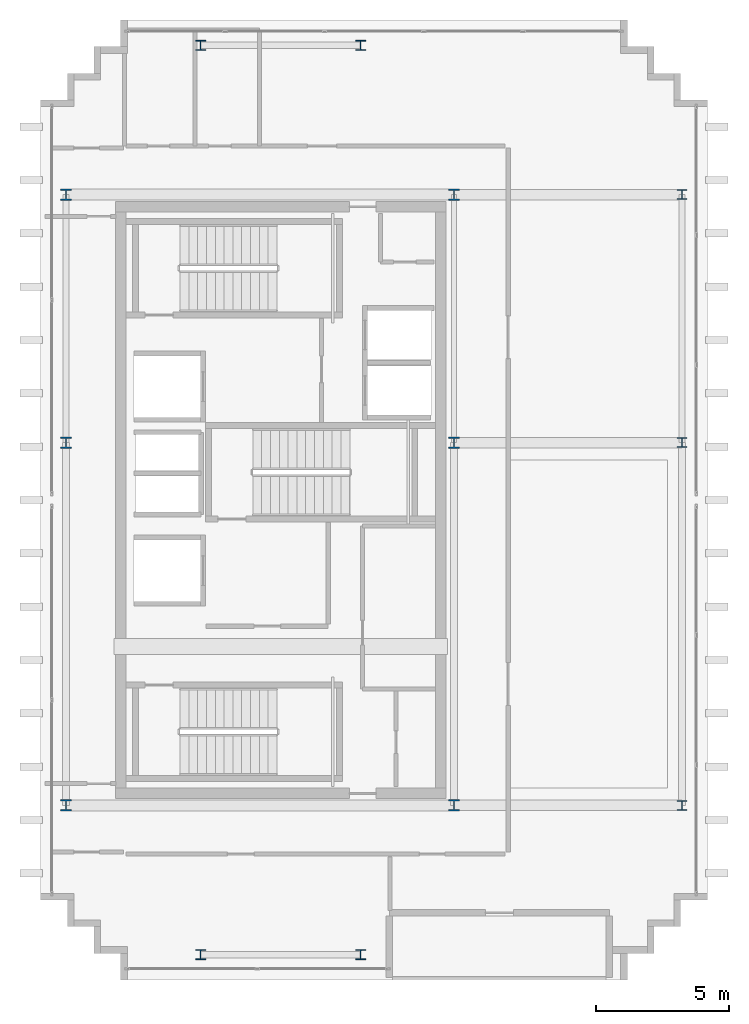
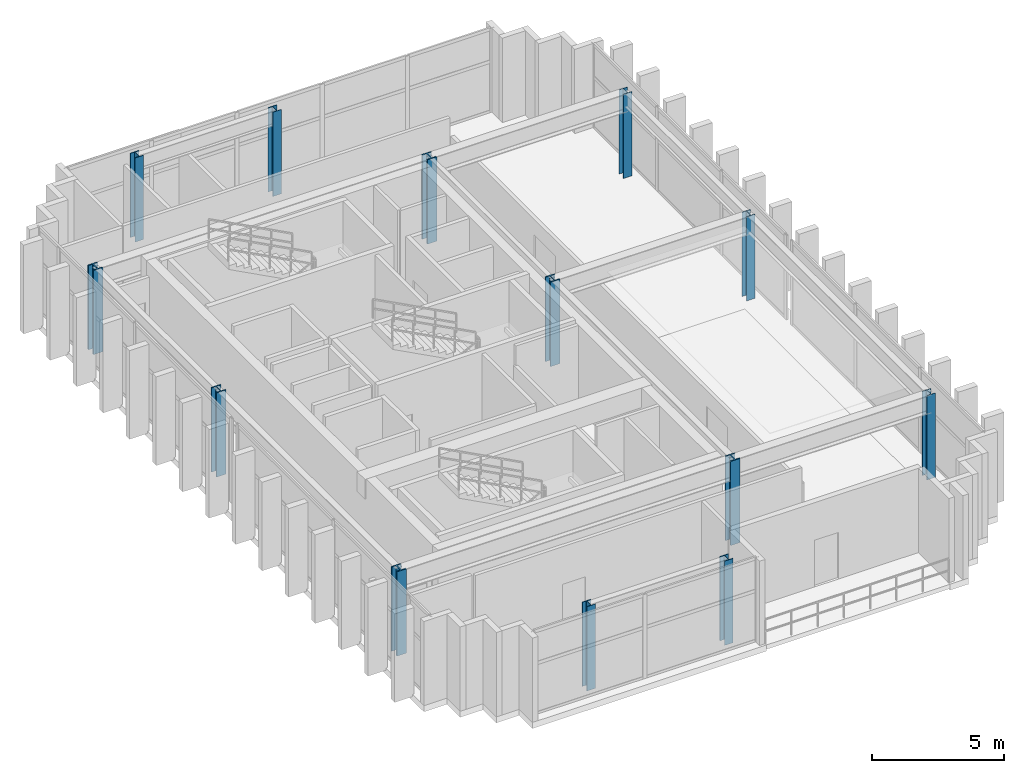
# One storey, part 1 of 15: 13 columns.
"""IFC4 building model written with IfcOpenShell, lengths in metres."""

import ifcopenshell
import ifcopenshell.guid

model = None  # the IFC model being written
_history = None  # IfcOwnerHistory: only IFC2X3 demands one
_inside = {}  # id of a spatial element -> (the spatial element, [elements in it])
_under = {}  # id of a project, library or spatial element -> (it, [spatial elements below it])
_declared = {}  # id of a project -> (the project, [libraries it declares])
_typed = {}  # id of a type object -> (the type object, [elements of that type])
_made_of = {}  # id of a material, layer set ... -> (it, [elements and type objects made of it])


def new_model(schema):
    """Start an empty IFC model of exactly this schema.

    Asked for "IFC4X3", IfcOpenShell would pick the latest addendum, in which some entities
    have other attributes; the version numbers below select the first issue.
    IFC2X3 requires an IfcOwnerHistory on every rooted entity: one is made here for all.
    """
    global model, _history
    if schema == "IFC4X3":
        model = ifcopenshell.file(schema_version=(4, 3, 0, 0))
    else:
        model = ifcopenshell.file(schema=schema)
    _inside.clear()
    _under.clear()
    _declared.clear()
    _typed.clear()
    _made_of.clear()
    _history = None
    if model.schema == "IFC2X3":
        org = make("IfcOrganization", Name="unknown")
        user = make(
            "IfcPersonAndOrganization",
            ThePerson=make("IfcPerson", FamilyName="unknown"),
            TheOrganization=org,
        )
        app = make(
            "IfcApplication",
            ApplicationDeveloper=org,
            Version="unknown",
            ApplicationFullName="unknown",
            ApplicationIdentifier="unknown",
        )
        _history = make(
            "IfcOwnerHistory",
            OwningUser=user,
            OwningApplication=app,
            ChangeAction="ADDED",
            CreationDate=0,
        )
    return model


def make(cls, **values):
    """One entity of the class cls with the attributes given. An attribute that is None is left unset."""
    return model.create_entity(
        cls, **{name: value for name, value in values.items() if value is not None}
    )


def rooted(cls, **values):
    """An entity with a GlobalId (a new one), such as an element, a storey or a relation."""
    return make(cls, GlobalId=ifcopenshell.guid.new(), OwnerHistory=_history, **values)


def si_unit(unit_type, name, prefix=None):
    """IfcSIUnit, for example si_unit("LENGTHUNIT", "METRE", prefix="MILLI")."""
    return make("IfcSIUnit", UnitType=unit_type, Prefix=prefix, Name=name)


def assignment(units):
    """IfcUnitAssignment: the units of a project."""
    return None if units is None else make("IfcUnitAssignment", Units=units)


def point(xyz):
    """IfcCartesianPoint."""
    return None if xyz is None else make("IfcCartesianPoint", Coordinates=xyz)


def direction(xyz):
    """IfcDirection."""
    return None if xyz is None else make("IfcDirection", DirectionRatios=xyz)


def frame(location, z_axis=None, x_axis=None):
    """IfcAxis2Placement3D, a coordinate frame: its origin and axes. An axis left out is left unset."""
    return make(
        "IfcAxis2Placement3D",
        Location=point(location),
        Axis=direction(z_axis),
        RefDirection=direction(x_axis),
    )


def frame_2d(location, x_axis=None):
    """IfcAxis2Placement2D, a coordinate frame in the plane: its origin and x axis."""
    return make(
        "IfcAxis2Placement2D", Location=point(location), RefDirection=direction(x_axis)
    )


def origin():
    """The frame at (0, 0, 0) with its axes left unset."""
    return frame((0.0, 0.0, 0.0))


def origin_2d():
    """The frame at (0, 0) in the plane with its x axis left unset."""
    return frame_2d((0.0, 0.0))


def place(relative_to, where):
    """IfcLocalPlacement: puts the frame where relative to a parent placement (None: the world)."""
    return make(
        "IfcLocalPlacement", PlacementRelTo=relative_to, RelativePlacement=where
    )


def context(
    kind, dimensions, precision=None, world=None, true_north=None, identifier=None
):
    """IfcGeometricRepresentationContext, for example the 3D "Model" context."""
    return make(
        "IfcGeometricRepresentationContext",
        ContextIdentifier=identifier,
        ContextType=kind,
        CoordinateSpaceDimension=dimensions,
        Precision=precision,
        WorldCoordinateSystem=world,
        TrueNorth=true_north,
    )


def subcontext(parent, identifier, kind, view, scale=None):
    """IfcGeometricRepresentationSubContext, for example "Body" below "Model"."""
    return make(
        "IfcGeometricRepresentationSubContext",
        ContextIdentifier=identifier,
        ContextType=kind,
        ParentContext=parent,
        TargetScale=scale,
        TargetView=view,
    )


def project(units=None, contexts=None):
    """IfcProject with its units and contexts."""
    return rooted(
        "IfcProject",
        Name="project",
        RepresentationContexts=contexts,
        UnitsInContext=assignment(units),
    )


def spatial(cls, under=None, at=None, **own):
    """A site, building, storey or space (cls), placed at a placement, below another one or the project."""
    s = rooted(cls, ObjectPlacement=at, **own)
    if under is not None:
        _under.setdefault(under.id(), (under, []))[1].append(s)
    return s


def profile(cls, at=None, kind="AREA", **sizes):
    """A parametric profile (cls). Its sizes go by their IFC names, for example OverallWidth=200.0."""
    return make(cls, ProfileType=kind, Position=at, **sizes)


def i_section(**sizes):
    """IfcIShapeProfileDef."""
    return profile("IfcIShapeProfileDef", **sizes)


def extrude(swept, where, along, depth):
    """IfcExtrudedAreaSolid: the profile swept, set in the frame where, extruded along a direction by depth."""
    return make(
        "IfcExtrudedAreaSolid",
        SweptArea=swept,
        Position=where,
        ExtrudedDirection=direction(along),
        Depth=depth,
    )


def shape(context_of_items, identifier, shape_type, items):
    """IfcShapeRepresentation: the items that make up one representation, for example the "Body"."""
    return make(
        "IfcShapeRepresentation",
        ContextOfItems=context_of_items,
        RepresentationIdentifier=identifier,
        RepresentationType=shape_type,
        Items=items,
    )


def source(mapping_origin, context_of_items, identifier, shape_type, items):
    """IfcRepresentationMap: a shape defined once, which mapped items show again and again."""
    return make(
        "IfcRepresentationMap",
        MappingOrigin=mapping_origin,
        MappedRepresentation=shape(context_of_items, identifier, shape_type, items),
    )


def transform(
    local_origin,
    x_axis=None,
    y_axis=None,
    z_axis=None,
    scale=None,
    scale2=None,
    scale3=None,
    uniform=True,
):
    """IfcCartesianTransformationOperator3D, or its non-uniform kind. x_axis, y_axis, z_axis: its Axis1, 2, 3."""
    if uniform:
        return make(
            "IfcCartesianTransformationOperator3D",
            Axis1=direction(x_axis),
            Axis2=direction(y_axis),
            LocalOrigin=point(local_origin),
            Scale=scale,
            Axis3=direction(z_axis),
        )
    return make(
        "IfcCartesianTransformationOperator3DnonUniform",
        Axis1=direction(x_axis),
        Axis2=direction(y_axis),
        LocalOrigin=point(local_origin),
        Scale=scale,
        Axis3=direction(z_axis),
        Scale2=scale2,
        Scale3=scale3,
    )


def mapped(mapping_source, mapping_target):
    """IfcMappedItem: shows the shape of a source again, moved by a transform."""
    return make(
        "IfcMappedItem", MappingSource=mapping_source, MappingTarget=mapping_target
    )


def material(Name=None, Category=None):
    """IfcMaterial."""
    return make("IfcMaterial", Name=Name, Category=Category)


def material_profile(
    of_material, cross_section, Name=None, Category=None, Priority=None
):
    """IfcMaterialProfile: a cross section and its material."""
    return make(
        "IfcMaterialProfile",
        Name=Name,
        Material=of_material,
        Profile=cross_section,
        Priority=Priority,
        Category=Category,
    )


def profile_set(profiles, Name=None, composite=None):
    """IfcMaterialProfileSet."""
    return make(
        "IfcMaterialProfileSet",
        Name=Name,
        MaterialProfiles=profiles,
        CompositeProfile=composite,
    )


def made_of(thing, what):
    """Note that an element or type object is made of a material, layer set ...; save() writes the relation."""
    if what is not None:
        _made_of.setdefault(what.id(), (what, []))[1].append(thing)
    return thing


def type_object(cls, material=None, **own):
    """A type object (cls), such as IfcWallType, which elements share."""
    return made_of(rooted(cls, **own), material)


def element(
    cls,
    number,
    at=None,
    inside=None,
    cuts=None,
    type_object=None,
    material=None,
    context=None,
    identifier="Body",
    shape_type=None,
    held_by="IfcProductDefinitionShape",
    body=None,
    shapes=None,
    **own,
):
    """One element of the class cls, such as IfcWall. Its Tag is "e" and its number.

    at: its placement. inside: the storey or other place that contains it. cuts: it is an
    opening in that element (IfcRelVoidsElement). A single representation is given by context,
    identifier, shape_type and body (its items); several are given by shapes. held_by: the class
    of the entity that holds the representations. save() writes the other relations.
    """
    e = rooted(cls, Tag="e%d" % number, ObjectPlacement=at, **own)
    if body is not None:
        shapes = [shape(context, identifier, shape_type, body)]
    if shapes is not None:
        e.Representation = make(held_by, Representations=shapes)
    if inside is not None:
        _inside.setdefault(inside.id(), (inside, []))[1].append(e)
    if cuts is not None:
        rooted(
            "IfcRelVoidsElement", RelatingBuildingElement=cuts, RelatedOpeningElement=e
        )
    if type_object is not None:
        _typed.setdefault(type_object.id(), (type_object, []))[1].append(e)
    return made_of(e, material)


def aggregate(whole, parts):
    """IfcRelAggregates: a whole, such as a stair, and the parts it consists of."""
    return rooted("IfcRelAggregates", RelatingObject=whole, RelatedObjects=parts)


def save(model, path):
    """Write the relations noted so far, then the file.

    IfcRelAggregates (storeys below a building ...), IfcRelContainedInSpatialStructure (elements
    in a storey), IfcRelDefinesByType, IfcRelAssociatesMaterial and IfcRelDeclares: one each for
    every whole, place, type object, material and project.
    """
    for whole, parts in _under.values():
        aggregate(whole, parts)
    for where, things in _inside.values():
        rooted(
            "IfcRelContainedInSpatialStructure",
            RelatedElements=things,
            RelatingStructure=where,
        )
    for kind, things in _typed.values():
        rooted("IfcRelDefinesByType", RelatedObjects=things, RelatingType=kind)
    for what, things in _made_of.values():
        rooted("IfcRelAssociatesMaterial", RelatedObjects=things, RelatingMaterial=what)
    for by, libraries in _declared.values():
        rooted("IfcRelDeclares", RelatingContext=by, RelatedDefinitions=libraries)
    model.write(path)


model = new_model("IFC4")

# Units and contexts
model_context = context("Model", 3, precision=1e-05, world=origin(), true_north=direction((0.0, 1.0)))
body_context = subcontext(model_context, "Body", "Model", "MODEL_VIEW")
ifc_project = project(units=[si_unit("LENGTHUNIT", "METRE"), si_unit("AREAUNIT", "SQUARE_METRE"), si_unit("VOLUMEUNIT", "CUBIC_METRE"), si_unit("PLANEANGLEUNIT", "RADIAN"), si_unit("MASSUNIT", "GRAM", prefix="KILO")], contexts=[model_context])

# Site, building, storey
site_placement = place(None, origin())
site = spatial("IfcSite", under=ifc_project, at=site_placement, CompositionType="ELEMENT")
building_placement = place(site_placement, origin())
building = spatial("IfcBuilding", under=site, at=building_placement, Name="Ocotamira Hotel", CompositionType="ELEMENT")
storey_placement = place(building_placement, frame((0.0, 0.0, 305.39990234375)))
storey = spatial("IfcBuildingStorey", under=building, at=storey_placement, Name="L78", CompositionType="ELEMENT", Elevation=305.39990234375)

# Columns
ifc_material_1 = material(Name="Steel ASTM A913 Grade 65", Category="steel")
ifc_material_profile_1 = material_profile(ifc_material_1, i_section(OverallWidth=0.412109375, OverallDepth=0.43505859375, WebThickness=0.035888671875, FlangeThickness=0.057373046875, FilletRadius=0.02490234375, at=origin_2d()), Name="W14X311")
ifc_profile_set_1 = profile_set([ifc_material_profile_1], Name="Steel ASTM A913 Grade 65")
column_type_1 = type_object("IfcColumnType", Name="COL-W14X311", PredefinedType="COLUMN", material=ifc_profile_set_1)
shared_shape_1 = source(origin(), body_context, "Body", "SweptSolid", [
    extrude(i_section(OverallWidth=0.412109375, OverallDepth=0.43505859375, WebThickness=0.035888671875, FlangeThickness=0.057373046875, FilletRadius=0.02490234375, at=origin_2d()), origin(), (0.0, 0.0, 1.0), 3.880126953125),
])
for number, where, z_axis, x_axis, name in (
    (1, (8.949951171875, 14.550048828125, 0.0), (0.0, 0.0, 1.0), (1.0, 0.0, 0.0), "L78 Column TW8_14"),
    (2, (23.5, 14.550048828125, 0.0), (0.0, 0.0, 1.0), (1.0, 0.0, 0.0), "L78 Column TW23_14"),
    (3, (8.949951171875, 28.14990234375, 0.0), (0.0, 0.0, 1.0), (1.0, 0.0, 0.0), "L78 Column TW8_28"),
    (4, (23.5, 28.14990234375, 0.0), (0.0, 0.0, 1.0), (1.0, 0.0, 0.0), "L78 Column TW23_28"),
    (5, (8.949951171875, 37.449951171875, 0.0), (0.0, 0.0, 1.0), (1.0, 0.0, 0.0), "L78 Column TW8_37"),
    (6, (23.5, 37.449951171875, 0.0), (0.0, 0.0, 1.0), (1.0, 0.0, 0.0), "L78 Column TW23_37"),
):
    element("IfcColumn", number, at=place(storey_placement, frame(where, z_axis=z_axis, x_axis=x_axis)), inside=storey, type_object=column_type_1, Name=name, PredefinedType="COLUMN", context=body_context, shape_type="MappedRepresentation", body=[
        mapped(shared_shape_1, transform((0.0, 0.0, 0.0), scale=1.0)),
    ])
ifc_material_2 = material(Name="Steel ASTM A992 Grade 50", Category="steel")
ifc_material_profile_2 = material_profile(ifc_material_2, i_section(OverallWidth=0.3740234375, OverallDepth=0.373046875, WebThickness=0.016357421875, FlangeThickness=0.026123046875, FilletRadius=0.02490234375, at=origin_2d()), Name="W14X132")
ifc_profile_set_2 = profile_set([ifc_material_profile_2], Name="Steel ASTM A992 Grade 50")
column_type_2 = type_object("IfcColumnType", Name="COL-W14X132", PredefinedType="COLUMN", material=ifc_profile_set_2)
shared_shape_2 = source(origin(), body_context, "Body", "SweptSolid", [
    extrude(i_section(OverallWidth=0.3740234375, OverallDepth=0.373046875, WebThickness=0.016357421875, FlangeThickness=0.026123046875, FilletRadius=0.02490234375, at=origin_2d()), origin(), (0.0, 0.0, 1.0), 3.880126953125),
])
for number, where, z_axis, x_axis, name in (
    (7, (14.0, 8.949951171875, 0.0), (0.0, 0.0, 1.0), (1.0, 0.0, 0.0), "L78 Column NSP1_14"),
    (8, (20.0, 8.949951171875, 0.0), (0.0, 0.0, 1.0), (1.0, 0.0, 0.0), "L78 Column NSP1_20"),
    (9, (14.0, 43.050048828125, 0.0), (0.0, 0.0, 1.0), (1.0, 0.0, 0.0), "L78 Column NSP2_14"),
    (10, (20.0, 43.050048828125, 0.0), (0.0, 0.0, 1.0), (1.0, 0.0, 0.0), "L78 Column NSP2_20"),
):
    element("IfcColumn", number, at=place(storey_placement, frame(where, z_axis=z_axis, x_axis=x_axis)), inside=storey, type_object=column_type_2, Name=name, PredefinedType="COLUMN", context=body_context, shape_type="MappedRepresentation", body=[
        mapped(shared_shape_2, transform((0.0, 0.0, 0.0), scale=1.0)),
    ])
ifc_material_profile_3 = material_profile(ifc_material_2, i_section(OverallWidth=0.368896484375, OverallDepth=0.35595703125, WebThickness=0.01123046875, FlangeThickness=0.01806640625, FilletRadius=0.02490234375, at=origin_2d()), Name="W14X90")
ifc_profile_set_3 = profile_set([ifc_material_profile_3], Name="Steel ASTM A992 Grade 50")
column_type_3 = type_object("IfcColumnType", Name="COL-W14X90", PredefinedType="COLUMN", material=ifc_profile_set_3)
shared_shape_3 = source(origin(), body_context, "Body", "SweptSolid", [
    extrude(i_section(OverallWidth=0.368896484375, OverallDepth=0.35595703125, WebThickness=0.01123046875, FlangeThickness=0.01806640625, FilletRadius=0.02490234375, at=origin_2d()), origin(), (0.0, 0.0, 1.0), 3.880126953125),
])
for number, where, z_axis, x_axis, name in (
    (11, (32.050048828125, 14.550048828125, 0.0), (0.0, 0.0, 1.0), (1.0, 0.0, 0.0), "L78 Column WPE32_14"),
    (12, (32.050048828125, 28.14990234375, 0.0), (0.0, 0.0, 1.0), (1.0, 0.0, 0.0), "L78 Column WPE32_28"),
    (13, (32.050048828125, 37.449951171875, 0.0), (0.0, 0.0, 1.0), (1.0, 0.0, 0.0), "L78 Column WPE32_37"),
):
    element("IfcColumn", number, at=place(storey_placement, frame(where, z_axis=z_axis, x_axis=x_axis)), inside=storey, type_object=column_type_3, Name=name, PredefinedType="COLUMN", context=body_context, shape_type="MappedRepresentation", body=[
        mapped(shared_shape_3, transform((0.0, 0.0, 0.0), scale=1.0)),
    ])

save(model, "model.ifc")
